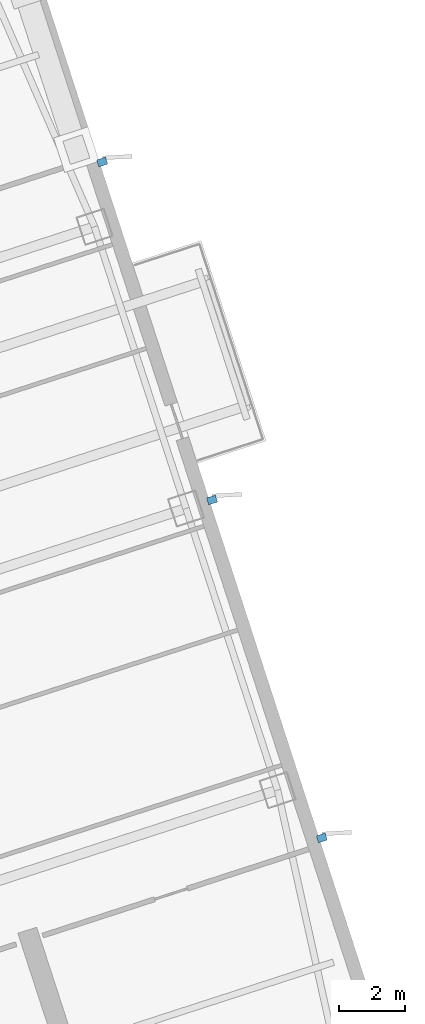
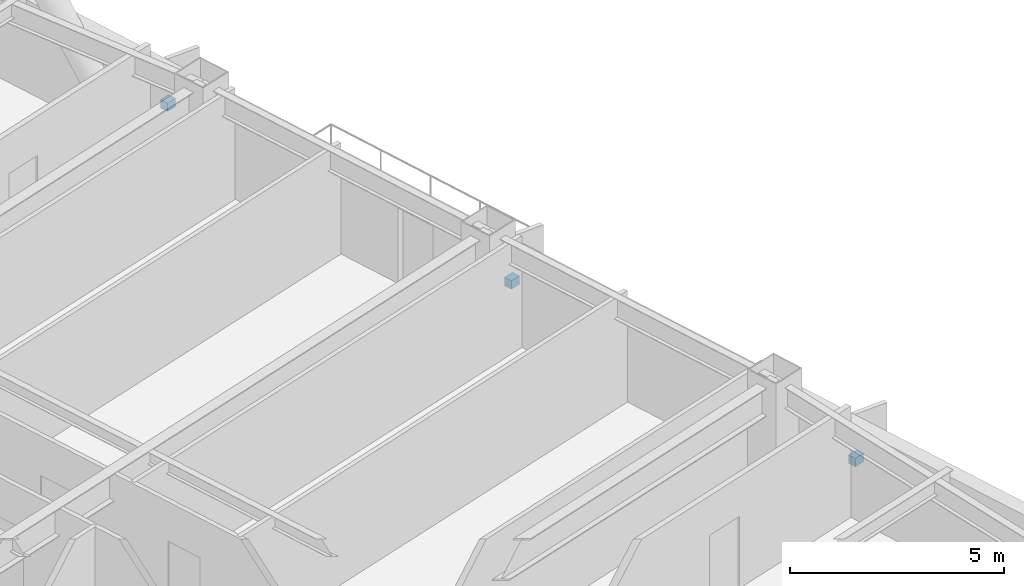
# One storey, part 19 of 24: 3 discrete accessories.
"""IFC4 building model written with IfcOpenShell, lengths in metres."""

from ifc_helpers import new_model, si_unit, direction, frame, origin, origin_2d, place, context, subcontext, project, spatial, rectangle, extrude, material, type_object, element, save


model = new_model("IFC4")

# Units and contexts
model_context = context("Model", 3, precision=1e-05, world=origin(), true_north=direction((0.0, 1.0)))
body_context = subcontext(model_context, "Body", "Model", "MODEL_VIEW")
ifc_project = project(units=[si_unit("LENGTHUNIT", "METRE"), si_unit("AREAUNIT", "SQUARE_METRE"), si_unit("VOLUMEUNIT", "CUBIC_METRE"), si_unit("PLANEANGLEUNIT", "RADIAN"), si_unit("MASSUNIT", "GRAM", prefix="KILO")], contexts=[model_context])

# Site, building, storey
site_placement = place(None, origin())
site = spatial("IfcSite", under=ifc_project, at=site_placement, CompositionType="ELEMENT")
building_placement = place(site_placement, origin())
building = spatial("IfcBuilding", under=site, at=building_placement, Name="Qiaolan Cultural Towers", CompositionType="ELEMENT")
storey_placement = place(building_placement, frame((0.0, 0.0, 120.75)))
storey = spatial("IfcBuildingStorey", under=building, at=storey_placement, Name="L31", CompositionType="ELEMENT", Elevation=120.75)

# Discrete accessories
ifc_material = material(Name="Stainless Steel S31608 Facade Anchor Bracket", Category="steel")
discrete_accessory_type = type_object("IfcDiscreteAccessoryType", Name="ACC-BRK-SS", PredefinedType="BRACKET", material=ifc_material)
for number, where, z_axis, x_axis, name in (
    (1, (110.056884765625, 29.1611328125, 1.18505859375), (0.0, 0.0, 1.0), (0.951056516295, 0.309016994375, 0.0), "L31 T2 Facade Fin Anchor Bracket E1"),
    (2, (106.719482421875, 39.4326171875, 1.18505859375), (0.0, 0.0, 1.0), (0.951056516295, 0.309016994375, 0.0), "L31 T2 Facade Fin Anchor Bracket E2"),
    (3, (103.382080078125, 49.703857421875, 1.18505859375), (0.0, 0.0, 1.0), (0.951056516295, 0.309016994375, 0.0), "L31 T2 Facade Fin Anchor Bracket E3"),
):
    element("IfcDiscreteAccessory", number, at=place(storey_placement, frame(where, z_axis=z_axis, x_axis=x_axis)), inside=storey, type_object=discrete_accessory_type, Name=name, PredefinedType="BRACKET", context=body_context, shape_type="SweptSolid", body=[
        extrude(rectangle(XDim=0.280029296875, YDim=0.219970703125, at=origin_2d()), origin(), (0.0, 0.0, 1.0), 0.239990234375),
    ])

save(model, "model.ifc")
